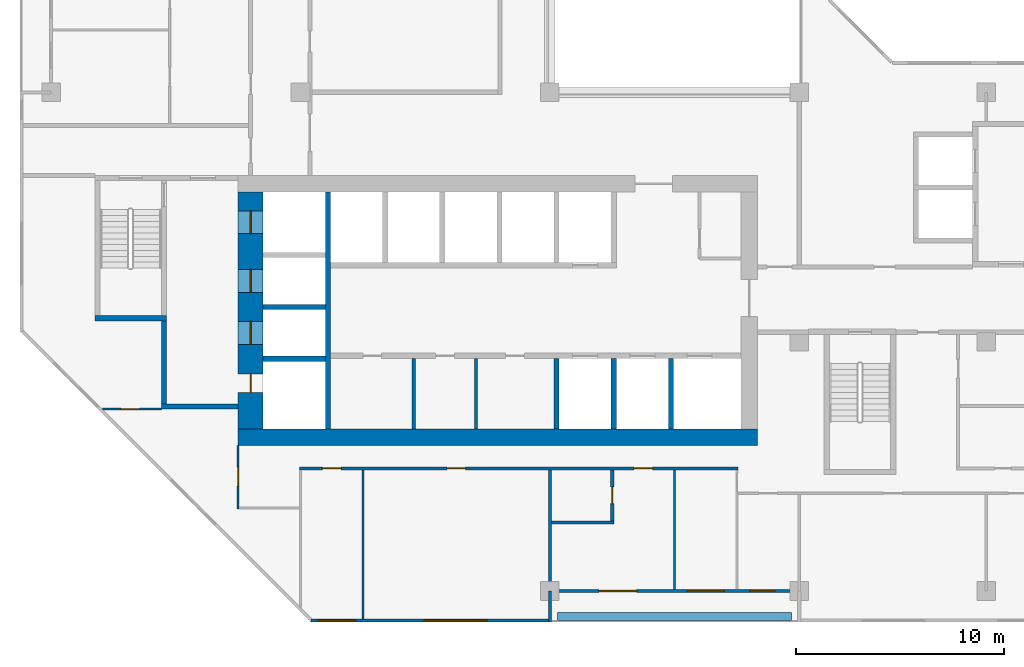
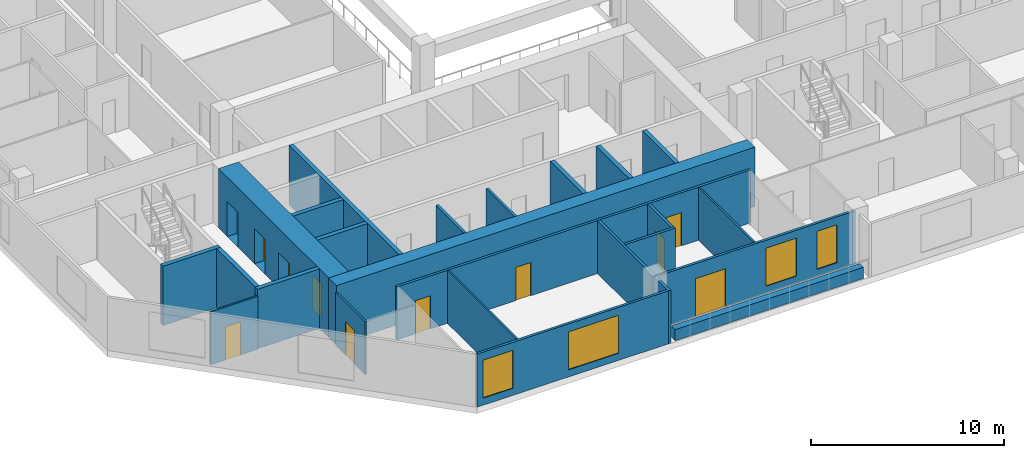
# One storey, part 4 of 14: 25 walls, 11 doors, 4 windows, 15 openings.
"""IFC4 building model written with IfcOpenShell, lengths in metres."""

from ifc_helpers import new_model, si_unit, direction, frame, frame_2d, origin, place, context, subcontext, project, spatial, rectangle, extrude, material, layer, layer_set, type_object, element, fill, save


model = new_model("IFC4")

# Units and contexts
model_context = context("Model", 3, precision=1e-05, world=origin(), true_north=direction((0.0, 1.0)))
body_context = subcontext(model_context, "Body", "Model", "MODEL_VIEW")
ifc_project = project(units=[si_unit("LENGTHUNIT", "METRE"), si_unit("AREAUNIT", "SQUARE_METRE"), si_unit("VOLUMEUNIT", "CUBIC_METRE"), si_unit("PLANEANGLEUNIT", "RADIAN"), si_unit("MASSUNIT", "GRAM", prefix="KILO")], contexts=[model_context])

# Site, building, storey
site_placement = place(None, origin())
site = spatial("IfcSite", under=ifc_project, at=site_placement, CompositionType="ELEMENT")
building_placement = place(site_placement, origin())
building = spatial("IfcBuilding", under=site, at=building_placement, Name="Chenar Terraces", CompositionType="ELEMENT")
storey_placement = place(building_placement, frame((0.0, 0.0, 161.14990234375)))
storey = spatial("IfcBuildingStorey", under=building, at=storey_placement, Name="L36", CompositionType="ELEMENT", Elevation=161.14990234375)

# Walls
ifc_material_1 = material(Name="Gypsum board on steel studs", Category="steel")
ifc_layer_1 = layer(ifc_material_1, 0.14990234375)
ifc_layer_set_1 = layer_set([ifc_layer_1], Name="Gypsum board on steel studs")
wall_type_1 = type_object("IfcWallType", Name="Core partition 150 gypsum board", PredefinedType="PARTITIONING", material=ifc_layer_set_1)
for number, where, z_axis, x_axis, name in (
    (1, (17.449951171875, 7.800048828125, 0.0), (0.0, 0.0, 1.0), (0.0, 1.0, 0.0), "Core partition CP1 freed bay wall"),
    (2, (20.449951171875, 7.800048828125, 0.0), (0.0, 0.0, 1.0), (0.0, 1.0, 0.0), "Core partition CP1 freed bay wall"),
):
    element("IfcWall", number, at=place(storey_placement, frame(where, z_axis=z_axis, x_axis=x_axis)), inside=storey, type_object=wall_type_1, Name=name, PredefinedType="PARTITIONING", context=body_context, shape_type="SweptSolid", body=[
        extrude(rectangle(XDim=3.39990234375, YDim=0.14990234375, at=frame_2d((1.699951171875, 0.0))), origin(), (0.0, 0.0, 1.0), 3.35009765625),
    ])

# Wall, openings, doors
ifc_material_2 = material(Name="Concrete C60/75", Category="concrete")
ifc_layer_2 = layer(ifc_material_2, 1.199951171875)
ifc_layer_set_2 = layer_set([ifc_layer_2], Name="Concrete C60/75")
wall_type_2 = type_object("IfcWallType", Name="Core wall 1200 Concrete C60/75", PredefinedType="SHEAR", material=ifc_layer_set_2)
wall_1_placement = place(storey_placement, frame((9.60009765625, 7.800048828125, 0.0), z_axis=(0.0, 0.0, 1.0), x_axis=(0.0, 1.0, 0.0)))
wall_1 = element("IfcWall", 3, at=wall_1_placement, inside=storey, type_object=wall_type_2, Name="Core wall W L36", PredefinedType="SHEAR", context=body_context, shape_type="SweptSolid", body=[
    extrude(rectangle(XDim=11.39990234375, YDim=1.199951171875, at=frame_2d((5.699951171875, 0.0))), origin(), (0.0, 0.0, 1.0), 3.75),
])
opening_1_placement = place(wall_1_placement, frame((4.074951171875, 0.0, 0.0)))
opening_1 = element("IfcOpeningElement", 4, at=opening_1_placement, cuts=wall_1, Name="Opening DL36-LD5", PredefinedType="OPENING", context=body_context, shape_type="SweptSolid", body=[
    extrude(rectangle(XDim=1.10009765625, YDim=2.199951171875, at=frame_2d((0.550048828125, 1.10009765625))), frame((0.0, 0.60986328125, 0.0), z_axis=(0.0, -1.0, 0.0), x_axis=(1.0, 0.0, 0.0)), (0.0, 0.0, 1.0), 1.219970703125),
])
opening_2_placement = place(wall_1_placement, frame((6.574951171875, 0.0, 0.0)))
opening_2 = element("IfcOpeningElement", 5, at=opening_2_placement, cuts=wall_1, Name="Opening DL36-LD6", PredefinedType="OPENING", context=body_context, shape_type="SweptSolid", body=[
    extrude(rectangle(XDim=1.10009765625, YDim=2.199951171875, at=frame_2d((0.550048828125, 1.10009765625))), frame((0.0, 0.60986328125, 0.0), z_axis=(0.0, -1.0, 0.0), x_axis=(1.0, 0.0, 0.0)), (0.0, 0.0, 1.0), 1.219970703125),
])
opening_3_placement = place(wall_1_placement, frame((9.39990234375, 0.0, 0.0)))
opening_3 = element("IfcOpeningElement", 6, at=opening_3_placement, cuts=wall_1, Name="Opening DL36-LD7", PredefinedType="OPENING", context=body_context, shape_type="SweptSolid", body=[
    extrude(rectangle(XDim=1.10009765625, YDim=2.199951171875, at=frame_2d((0.550048828125, 1.10009765625))), frame((0.0, 0.60986328125, 0.0), z_axis=(0.0, -1.0, 0.0), x_axis=(1.0, 0.0, 0.0)), (0.0, 0.0, 1.0), 1.219970703125),
])
opening_4_placement = place(wall_1_placement, frame((1.75, 0.0, 0.0)))
opening_4 = element("IfcOpeningElement", 7, at=opening_4_placement, cuts=wall_1, Name="Opening DL36-C4", PredefinedType="OPENING", context=body_context, shape_type="SweptSolid", body=[
    extrude(rectangle(XDim=0.89990234375, YDim=2.10009765625, at=frame_2d((0.449951171875, 1.050048828125))), frame((0.0, 0.60986328125, 0.0), z_axis=(0.0, -1.0, 0.0), x_axis=(1.0, 0.0, 0.0)), (0.0, 0.0, 1.0), 1.219970703125),
])
ifc_material_3 = material(Name="Stainless steel", Category="steel")
door_type_1 = type_object("IfcDoorType", Name="Lift landing door 1100 x 2200 sliding", OperationType="DOUBLE_DOOR_SLIDING", PredefinedType="DOOR", material=ifc_material_3)
door_1_placement = place(opening_1_placement, origin())
door_1 = element("IfcDoor", 8, at=door_1_placement, inside=storey, type_object=door_type_1, Name="Landing door S1", OperationType="DOUBLE_DOOR_SLIDING", OverallHeight=2.199951171875, OverallWidth=1.10009765625, PredefinedType="DOOR", context=body_context, shape_type="SweptSolid", body=[
    extrude(rectangle(XDim=1.10009765625, YDim=2.199951171875, at=frame_2d((0.550048828125, 1.10009765625))), frame((0.0, 0.02490234375, 0.0), z_axis=(0.0, -1.0, 0.0), x_axis=(1.0, 0.0, 0.0)), (0.0, 0.0, 1.0), 0.050048828125),
])
fill(opening_1, door_1)
door_2_placement = place(opening_2_placement, origin())
door_2 = element("IfcDoor", 9, at=door_2_placement, inside=storey, type_object=door_type_1, Name="Landing door F1", OperationType="DOUBLE_DOOR_SLIDING", OverallHeight=2.199951171875, OverallWidth=1.10009765625, PredefinedType="DOOR", context=body_context, shape_type="SweptSolid", body=[
    extrude(rectangle(XDim=1.10009765625, YDim=2.199951171875, at=frame_2d((0.550048828125, 1.10009765625))), frame((0.0, 0.02490234375, 0.0), z_axis=(0.0, -1.0, 0.0), x_axis=(1.0, 0.0, 0.0)), (0.0, 0.0, 1.0), 0.050048828125),
])
fill(opening_2, door_2)
door_3_placement = place(opening_3_placement, origin())
door_3 = element("IfcDoor", 10, at=door_3_placement, inside=storey, type_object=door_type_1, Name="Landing door F2", OperationType="DOUBLE_DOOR_SLIDING", OverallHeight=2.199951171875, OverallWidth=1.10009765625, PredefinedType="DOOR", context=body_context, shape_type="SweptSolid", body=[
    extrude(rectangle(XDim=1.10009765625, YDim=2.199951171875, at=frame_2d((0.550048828125, 1.10009765625))), frame((0.0, 0.02490234375, 0.0), z_axis=(0.0, -1.0, 0.0), x_axis=(1.0, 0.0, 0.0)), (0.0, 0.0, 1.0), 0.050048828125),
])
fill(opening_3, door_3)
ifc_material_4 = material(Name="Steel-framed fire-resisting door leaf", Category="steel")
door_type_2 = type_object("IfcDoorType", Name="Riser fire door FD60 900 x 2100", OperationType="SINGLE_SWING_LEFT", PredefinedType="DOOR", material=ifc_material_4)
door_4_placement = place(opening_4_placement, frame((0.89990234375, 0.0, 0.0), z_axis=(0.0, 0.0, 1.0), x_axis=(-1.0, 0.0, 0.0)))
door_4 = element("IfcDoor", 11, at=door_4_placement, inside=storey, type_object=door_type_2, Name="Riser door DL36-C4", OperationType="SINGLE_SWING_LEFT", OverallHeight=2.10009765625, OverallWidth=0.89990234375, PredefinedType="DOOR", context=body_context, shape_type="SweptSolid", body=[
    extrude(rectangle(XDim=0.89990234375, YDim=2.10009765625, at=frame_2d((0.449951171875, 1.050048828125))), frame((0.0, 0.02490234375, 0.0), z_axis=(0.0, -1.0, 0.0), x_axis=(1.0, 0.0, 0.0)), (0.0, 0.0, 1.0), 0.050048828125),
])
fill(opening_4, door_4)

# Walls
ifc_material_5 = material(Name="Concrete C60/75", Category="concrete")
ifc_layer_3 = layer(ifc_material_5, 0.25)
ifc_layer_set_3 = layer_set([ifc_layer_3], Name="Concrete C60/75")
wall_type_3 = type_object("IfcWallType", Name="Core wall 250 Concrete C60/75", PredefinedType="SHEAR", material=ifc_layer_set_3)
wall_2_placement = place(storey_placement, frame((13.324951171875, 7.800048828125, 0.0), z_axis=(0.0, 0.0, 1.0), x_axis=(0.0, 1.0, 0.0)))
element("IfcWall", 12, at=wall_2_placement, inside=storey, type_object=wall_type_3, Name="Core wall WI L36", PredefinedType="SHEAR", context=body_context, shape_type="SweptSolid", body=[
    extrude(rectangle(XDim=11.39990234375, YDim=0.25, at=frame_2d((5.699951171875, 0.0))), origin(), (0.0, 0.0, 1.0), 3.75),
])
for number, where, z_axis, x_axis, name in (
    (13, (10.199951171875, 11.175048828125, 0.0), (0.0, 0.0, 1.0), (1.0, 0.0, 0.0), "Core wall HW0 L36"),
    (14, (10.199951171875, 13.675048828125, 0.0), (0.0, 0.0, 1.0), (1.0, 0.0, 0.0), "Core wall HW1 L36"),
):
    element("IfcWall", number, at=place(storey_placement, frame(where, z_axis=z_axis, x_axis=x_axis)), inside=storey, type_object=wall_type_3, Name=name, PredefinedType="SHEAR", context=body_context, shape_type="SweptSolid", body=[
        extrude(rectangle(XDim=3.0, YDim=0.25, at=frame_2d((1.5, 0.0))), origin(), (0.0, 0.0, 1.0), 3.75),
    ])
for number, where, z_axis, x_axis, name in (
    (15, (24.324951171875, 7.800048828125, 0.0), (0.0, 0.0, 1.0), (0.0, 1.0, 0.0), "Core wall SS3 L36"),
    (16, (27.074951171875, 7.800048828125, 0.0), (0.0, 0.0, 1.0), (0.0, 1.0, 0.0), "Core wall SS4 L36"),
    (17, (29.824951171875, 7.800048828125, 0.0), (0.0, 0.0, 1.0), (0.0, 1.0, 0.0), "Core wall SS5 L36"),
):
    element("IfcWall", number, at=place(storey_placement, frame(where, z_axis=z_axis, x_axis=x_axis)), inside=storey, type_object=wall_type_3, Name=name, PredefinedType="SHEAR", context=body_context, shape_type="SweptSolid", body=[
        extrude(rectangle(XDim=3.39990234375, YDim=0.25, at=frame_2d((1.699951171875, 0.0))), origin(), (0.0, 0.0, 1.0), 3.75),
    ])
wall_3_placement = place(storey_placement, frame((2.10009765625, 13.125, 0.0), z_axis=(0.0, 0.0, 1.0), x_axis=(1.0, 0.0, 0.0)))
element("IfcWall", 18, at=wall_3_placement, inside=storey, type_object=wall_type_3, Name="Core wall ST1_S L36", PredefinedType="SHEAR", context=body_context, shape_type="SweptSolid", body=[
    extrude(rectangle(XDim=3.449951171875, YDim=0.25, at=frame_2d((1.72509765625, 0.0))), origin(), (0.0, 0.0, 1.0), 3.75),
])
wall_4_placement = place(storey_placement, frame((5.300048828125, 8.875, 0.0), z_axis=(0.0, 0.0, 1.0), x_axis=(1.0, 0.0, 0.0)))
element("IfcWall", 19, at=wall_4_placement, inside=storey, type_object=wall_type_3, Name="Core wall FFL_S L36", PredefinedType="SHEAR", context=body_context, shape_type="SweptSolid", body=[
    extrude(rectangle(XDim=3.699951171875, YDim=0.25, at=frame_2d((1.85009765625, 0.0))), origin(), (0.0, 0.0, 1.0), 3.75),
])
wall_5_placement = place(storey_placement, frame((5.425048828125, 9.0, 0.0), z_axis=(0.0, 0.0, 1.0), x_axis=(0.0, 1.0, 0.0)))
element("IfcWall", 20, at=wall_5_placement, inside=storey, type_object=wall_type_3, Name="Core wall FFL_W L36", PredefinedType="SHEAR", context=body_context, shape_type="SweptSolid", body=[
    extrude(rectangle(XDim=4.0, YDim=0.25, at=frame_2d((2.0, 0.0))), origin(), (0.0, 0.0, 1.0), 3.75),
])
ifc_material_6 = material(Name="Concrete C60/75", Category="concrete")
ifc_layer_4 = layer(ifc_material_6, 0.800048828125)
ifc_layer_set_4 = layer_set([ifc_layer_4], Name="Concrete C60/75")
wall_type_4 = type_object("IfcWallType", Name="Core wall 800 Concrete C60/75", PredefinedType="SHEAR", material=ifc_layer_set_4)
wall_6_placement = place(storey_placement, frame((9.0, 7.39990234375, 0.0), z_axis=(0.0, 0.0, 1.0), x_axis=(1.0, 0.0, 0.0)))
element("IfcWall", 21, at=wall_6_placement, inside=storey, type_object=wall_type_4, Name="Core wall S L36", PredefinedType="SHEAR", context=body_context, shape_type="SweptSolid", body=[
    extrude(rectangle(XDim=25.0, YDim=0.800048828125, at=frame_2d((12.5, 0.0))), origin(), (0.0, 0.0, 1.0), 3.75),
])

# Wall, openings, windows
ifc_material_7 = material(Name="Aluminium framed glazing", Category="aluminium")
ifc_layer_5 = layer(ifc_material_7, 0.14990234375)
ifc_layer_set_5 = layer_set([ifc_layer_5], Name="Aluminium framed glazing")
wall_type_5 = type_object("IfcWallType", Name="Glazed flush facade wall 150", PredefinedType="SOLIDWALL", material=ifc_layer_set_5)
wall_7_placement = place(storey_placement, frame((12.5, -1.425048828125, 0.0), z_axis=(0.0, 0.0, 1.0), x_axis=(1.0, 0.0, 0.0)))
wall_7 = element("IfcWall", 22, at=wall_7_placement, inside=storey, type_object=wall_type_5, Name="Glazed flush facade wall", PredefinedType="SOLIDWALL", context=body_context, shape_type="SweptSolid", body=[
    extrude(rectangle(XDim=11.425048828125, YDim=0.14990234375, at=frame_2d((5.71240234375, 0.0))), origin(), (0.0, 0.0, 1.0), 3.35009765625),
])
opening_5_placement = place(wall_7_placement, frame((0.35009765625, 0.0, 0.449951171875)))
opening_5 = element("IfcOpeningElement", 23, at=opening_5_placement, cuts=wall_7, Name="Opening W180x240", PredefinedType="OPENING", context=body_context, shape_type="SweptSolid", body=[
    extrude(rectangle(XDim=1.800048828125, YDim=2.39990234375, at=frame_2d((0.89990234375, 1.199951171875))), frame((0.0, 0.0849609375, 0.0), z_axis=(0.0, -1.0, 0.0), x_axis=(1.0, 0.0, 0.0)), (0.0, 0.0, 1.0), 0.169921875),
])
opening_6_placement = place(wall_7_placement, frame((5.46240234375, 0.0, 0.449951171875)))
opening_6 = element("IfcOpeningElement", 24, at=opening_6_placement, cuts=wall_7, Name="Opening W300x240", PredefinedType="OPENING", context=body_context, shape_type="SweptSolid", body=[
    extrude(rectangle(XDim=3.0, YDim=2.39990234375, at=frame_2d((1.5, 1.199951171875))), frame((0.0, 0.0849609375, 0.0), z_axis=(0.0, -1.0, 0.0), x_axis=(1.0, 0.0, 0.0)), (0.0, 0.0, 1.0), 0.169921875),
])
ifc_material_8 = material(Name="Low emissivity double glazing, aluminium frame", Category="aluminium")
window_type_1 = type_object("IfcWindowType", Name="Fixed light 1800 x 2400", PartitioningType="SINGLE_PANEL", PredefinedType="WINDOW", material=ifc_material_8)
window_1_placement = place(opening_5_placement, origin())
window_1 = element("IfcWindow", 25, at=window_1_placement, inside=storey, type_object=window_type_1, Name="Window", OverallHeight=2.39990234375, OverallWidth=1.800048828125, PartitioningType="SINGLE_PANEL", PredefinedType="WINDOW", context=body_context, shape_type="SweptSolid", body=[
    extrude(rectangle(XDim=1.800048828125, YDim=2.39990234375, at=frame_2d((0.89990234375, 1.199951171875))), frame((0.0, 0.030029296875, 0.0), z_axis=(0.0, -1.0, 0.0), x_axis=(1.0, 0.0, 0.0)), (0.0, 0.0, 1.0), 0.06005859375),
])
fill(opening_5, window_1)
ifc_material_9 = material(Name="Low emissivity double glazing, aluminium frame", Category="aluminium")
window_type_2 = type_object("IfcWindowType", Name="Fixed light 3000 x 2400", PartitioningType="SINGLE_PANEL", PredefinedType="WINDOW", material=ifc_material_9)
window_2_placement = place(opening_6_placement, origin())
window_2 = element("IfcWindow", 26, at=window_2_placement, inside=storey, type_object=window_type_2, Name="Window", OverallHeight=2.39990234375, OverallWidth=3.0, PartitioningType="SINGLE_PANEL", PredefinedType="WINDOW", context=body_context, shape_type="SweptSolid", body=[
    extrude(rectangle(XDim=3.0, YDim=2.39990234375, at=frame_2d((1.5, 1.199951171875))), frame((0.0, 0.030029296875, 0.0), z_axis=(0.0, -1.0, 0.0), x_axis=(1.0, 0.0, 0.0)), (0.0, 0.0, 1.0), 0.06005859375),
])
fill(opening_6, window_2)

# Wall, openings, windows, door
ifc_material_10 = material(Name="Aluminium framed glazing", Category="aluminium")
ifc_layer_6 = layer(ifc_material_10, 0.14990234375)
ifc_layer_set_6 = layer_set([ifc_layer_6], Name="Aluminium framed glazing")
wall_type_6 = type_object("IfcWallType", Name="Glazed loggia back wall 150", PredefinedType="SOLIDWALL", material=ifc_layer_set_6)
wall_8_placement = place(storey_placement, frame((24.074951171875, 0.0, 0.0), z_axis=(0.0, 0.0, 1.0), x_axis=(1.0, 0.0, 0.0)))
wall_8 = element("IfcWall", 27, at=wall_8_placement, inside=storey, type_object=wall_type_6, Name="Glazed loggia back wall", PredefinedType="SOLIDWALL", context=body_context, shape_type="SweptSolid", body=[
    extrude(rectangle(XDim=11.85009765625, YDim=0.14990234375, at=frame_2d((5.925048828125, 0.0))), origin(), (0.0, 0.0, 1.0), 3.35009765625),
])
opening_7_placement = place(wall_8_placement, frame((2.300048828125, 0.0, 0.0)))
opening_7 = element("IfcOpeningElement", 28, at=opening_7_placement, cuts=wall_8, Name="Opening DL36-G6", PredefinedType="OPENING", context=body_context, shape_type="SweptSolid", body=[
    extrude(rectangle(XDim=1.800048828125, YDim=2.39990234375, at=frame_2d((0.89990234375, 1.199951171875))), frame((0.0, 0.0849609375, 0.0), z_axis=(0.0, -1.0, 0.0), x_axis=(1.0, 0.0, 0.0)), (0.0, 0.0, 1.0), 0.169921875),
])
opening_8_placement = place(wall_8_placement, frame((6.52490234375, 0.0, 0.449951171875)))
opening_8 = element("IfcOpeningElement", 29, at=opening_8_placement, cuts=wall_8, Name="Opening W180x240", PredefinedType="OPENING", context=body_context, shape_type="SweptSolid", body=[
    extrude(rectangle(XDim=1.800048828125, YDim=2.39990234375, at=frame_2d((0.89990234375, 1.199951171875))), frame((0.0, 0.0849609375, 0.0), z_axis=(0.0, -1.0, 0.0), x_axis=(1.0, 0.0, 0.0)), (0.0, 0.0, 1.0), 0.169921875),
])
opening_9_placement = place(wall_8_placement, frame((9.550048828125, 0.0, 0.449951171875)))
opening_9 = element("IfcOpeningElement", 30, at=opening_9_placement, cuts=wall_8, Name="Opening W120x240", PredefinedType="OPENING", context=body_context, shape_type="SweptSolid", body=[
    extrude(rectangle(XDim=1.199951171875, YDim=2.39990234375, at=frame_2d((0.60009765625, 1.199951171875))), frame((0.0, 0.0849609375, 0.0), z_axis=(0.0, -1.0, 0.0), x_axis=(1.0, 0.0, 0.0)), (0.0, 0.0, 1.0), 0.169921875),
])
ifc_material_11 = material(Name="Low emissivity double glazing, aluminium frame", Category="aluminium")
window_type_3 = type_object("IfcWindowType", Name="Fixed light 1200 x 2400", PartitioningType="SINGLE_PANEL", PredefinedType="WINDOW", material=ifc_material_11)
window_3_placement = place(opening_9_placement, origin())
window_3 = element("IfcWindow", 31, at=window_3_placement, inside=storey, type_object=window_type_3, Name="Window", OverallHeight=2.39990234375, OverallWidth=1.199951171875, PartitioningType="SINGLE_PANEL", PredefinedType="WINDOW", context=body_context, shape_type="SweptSolid", body=[
    extrude(rectangle(XDim=1.199951171875, YDim=2.39990234375, at=frame_2d((0.60009765625, 1.199951171875))), frame((0.0, 0.030029296875, 0.0), z_axis=(0.0, -1.0, 0.0), x_axis=(1.0, 0.0, 0.0)), (0.0, 0.0, 1.0), 0.06005859375),
])
fill(opening_9, window_3)
window_4_placement = place(opening_8_placement, origin())
window_4 = element("IfcWindow", 32, at=window_4_placement, inside=storey, type_object=window_type_1, Name="Window", OverallHeight=2.39990234375, OverallWidth=1.800048828125, PartitioningType="SINGLE_PANEL", PredefinedType="WINDOW", context=body_context, shape_type="SweptSolid", body=[
    extrude(rectangle(XDim=1.800048828125, YDim=2.39990234375, at=frame_2d((0.89990234375, 1.199951171875))), frame((0.0, 0.030029296875, 0.0), z_axis=(0.0, -1.0, 0.0), x_axis=(1.0, 0.0, 0.0)), (0.0, 0.0, 1.0), 0.06005859375),
])
fill(opening_8, window_4)
ifc_material_12 = material(Name="Low emissivity double glazing, aluminium frame", Category="aluminium")
door_type_3 = type_object("IfcDoorType", Name="Loggia glazed double door 1800 x 2400", OperationType="DOUBLE_DOOR_SINGLE_SWING", PredefinedType="DOOR", material=ifc_material_12)
door_5_placement = place(opening_7_placement, frame((1.800048828125, 0.0, 0.0), z_axis=(0.0, 0.0, 1.0), x_axis=(-1.0, 0.0, 0.0)))
door_5 = element("IfcDoor", 33, at=door_5_placement, inside=storey, type_object=door_type_3, Name="Loggia glazed door", OperationType="DOUBLE_DOOR_SINGLE_SWING", OverallHeight=2.39990234375, OverallWidth=1.800048828125, PredefinedType="DOOR", context=body_context, shape_type="SweptSolid", body=[
    extrude(rectangle(XDim=1.800048828125, YDim=2.39990234375, at=frame_2d((0.89990234375, 1.199951171875))), frame((0.0, 0.02490234375, 0.0), z_axis=(0.0, -1.0, 0.0), x_axis=(1.0, 0.0, 0.0)), (0.0, 0.0, 1.0), 0.050048828125),
])
fill(opening_7, door_5)

# Wall, opening, door
ifc_material_13 = material(Name="Gypsum board on steel studs", Category="steel")
ifc_layer_7 = layer(ifc_material_13, 0.10009765625)
ifc_layer_set_7 = layer_set([ifc_layer_7], Name="Gypsum board on steel studs")
wall_type_7 = type_object("IfcWallType", Name="Gypsum partition 100", PredefinedType="PARTITIONING", material=ifc_layer_set_7)
wall_9_placement = place(storey_placement, frame((2.4609375, 8.75, 0.0), z_axis=(0.0, 0.0, 1.0), x_axis=(1.0, 0.0, 0.0)))
wall_9 = element("IfcWall", 34, at=wall_9_placement, inside=storey, type_object=wall_type_7, Name="Partition L36-013", PredefinedType="PARTITIONING", context=body_context, shape_type="SweptSolid", body=[
    extrude(rectangle(XDim=2.839111328125, YDim=0.10009765625, at=frame_2d((1.41943359375, 0.0))), origin(), (0.0, 0.0, 1.0), 3.35009765625),
])
opening_10_placement = place(wall_9_placement, frame((0.888916015625, 0.0, 0.0)))
opening_10 = element("IfcOpeningElement", 35, at=opening_10_placement, cuts=wall_9, Name="Opening DL36-49", PredefinedType="OPENING", context=body_context, shape_type="SweptSolid", body=[
    extrude(rectangle(XDim=0.89990234375, YDim=2.10009765625, at=frame_2d((0.449951171875, 1.050048828125))), frame((0.0, 0.06005859375, 0.0), z_axis=(0.0, -1.0, 0.0), x_axis=(1.0, 0.0, 0.0)), (0.0, 0.0, 1.0), 0.1201171875),
])
ifc_material_14 = material(Name="Veneered timber door leaf", Category="wood")
door_type_4 = type_object("IfcDoorType", Name="Door 900 x 2100", OperationType="SINGLE_SWING_LEFT", PredefinedType="DOOR", material=ifc_material_14)
door_6_placement = place(opening_10_placement, frame((0.89990234375, 0.0, 0.0), z_axis=(0.0, 0.0, 1.0), x_axis=(-1.0, 0.0, 0.0)))
door_6 = element("IfcDoor", 36, at=door_6_placement, inside=storey, type_object=door_type_4, Name="Door DL36-49", OperationType="SINGLE_SWING_RIGHT", OverallHeight=2.10009765625, OverallWidth=0.89990234375, PredefinedType="DOOR", context=body_context, shape_type="SweptSolid", body=[
    extrude(rectangle(XDim=0.89990234375, YDim=2.10009765625, at=frame_2d((0.449951171875, 1.050048828125))), frame((0.0, 0.02490234375, 0.0), z_axis=(0.0, -1.0, 0.0), x_axis=(1.0, 0.0, 0.0)), (0.0, 0.0, 1.0), 0.050048828125),
])
fill(opening_10, door_6)

wall_10_placement = place(storey_placement, frame((9.0, 3.949951171875, 0.0), z_axis=(0.0, 0.0, 1.0), x_axis=(0.0, 1.0, 0.0)))
wall_10 = element("IfcWall", 37, at=wall_10_placement, inside=storey, type_object=wall_type_7, Name="Partition L36-026", PredefinedType="PARTITIONING", context=body_context, shape_type="SweptSolid", body=[
    extrude(rectangle(XDim=3.050048828125, YDim=0.10009765625, at=frame_2d((1.52490234375, 0.0))), origin(), (0.0, 0.0, 1.0), 3.35009765625),
])
opening_11_placement = place(wall_10_placement, frame((1.10009765625, 0.0, 0.0)))
opening_11 = element("IfcOpeningElement", 38, at=opening_11_placement, cuts=wall_10, Name="Opening DL36-48", PredefinedType="OPENING", context=body_context, shape_type="SweptSolid", body=[
    extrude(rectangle(XDim=0.89990234375, YDim=2.10009765625, at=frame_2d((0.449951171875, 1.050048828125))), frame((0.0, 0.06005859375, 0.0), z_axis=(0.0, -1.0, 0.0), x_axis=(1.0, 0.0, 0.0)), (0.0, 0.0, 1.0), 0.1201171875),
])
door_7_placement = place(opening_11_placement, origin())
door_7 = element("IfcDoor", 39, at=door_7_placement, inside=storey, type_object=door_type_4, Name="Door DL36-48", OperationType="SINGLE_SWING_LEFT", OverallHeight=2.10009765625, OverallWidth=0.89990234375, PredefinedType="DOOR", context=body_context, shape_type="SweptSolid", body=[
    extrude(rectangle(XDim=0.89990234375, YDim=2.10009765625, at=frame_2d((0.449951171875, 1.050048828125))), frame((0.0, 0.02490234375, 0.0), z_axis=(0.0, -1.0, 0.0), x_axis=(1.0, 0.0, 0.0)), (0.0, 0.0, 1.0), 0.050048828125),
])
fill(opening_11, door_7)

# Walls
wall_11_placement = place(storey_placement, frame((15.0, -1.35009765625, 0.0), z_axis=(0.0, 0.0, 1.0), x_axis=(0.0, 1.0, 0.0)))
element("IfcWall", 40, at=wall_11_placement, inside=storey, type_object=wall_type_7, Name="Partition L36-041", PredefinedType="PARTITIONING", context=body_context, shape_type="SweptSolid", body=[
    extrude(rectangle(XDim=7.175048828125, YDim=0.10009765625, at=frame_2d((3.58740234375, 0.0))), origin(), (0.0, 0.0, 1.0), 3.35009765625),
])
wall_12_placement = place(storey_placement, frame((30.0, 0.073974609375, 0.0), z_axis=(0.0, 0.0, 1.0), x_axis=(0.0, 1.0, 0.0)))
element("IfcWall", 41, at=wall_12_placement, inside=storey, type_object=wall_type_7, Name="Partition L36-056", PredefinedType="PARTITIONING", context=body_context, shape_type="SweptSolid", body=[
    extrude(rectangle(XDim=5.7509765625, YDim=0.10009765625, at=frame_2d((2.87548828125, 0.0))), origin(), (0.0, 0.0, 1.0), 3.35009765625),
])
ifc_material_15 = material(Name="Terracotta cladding on insulated backing", Category="masonry")
ifc_layer_8 = layer(ifc_material_15, 0.14990234375)
ifc_layer_set_8 = layer_set([ifc_layer_8], Name="Terracotta cladding on insulated backing")
wall_type_8 = type_object("IfcWallType", Name="Loggia return wall 150", PredefinedType="SOLIDWALL", material=ifc_layer_set_8)
wall_13_placement = place(storey_placement, frame((24.0, -1.5, 0.0), z_axis=(0.0, 0.0, 1.0), x_axis=(0.0, 1.0, 0.0)))
element("IfcWall", 42, at=wall_13_placement, inside=storey, type_object=wall_type_8, Name="Loggia return wall", PredefinedType="SOLIDWALL", context=body_context, shape_type="SweptSolid", body=[
    extrude(rectangle(XDim=1.5, YDim=0.14990234375, at=frame_2d((0.75, 0.0))), origin(), (0.0, 0.0, 1.0), 3.35009765625),
])
ifc_material_16 = material(Name="GRP planter trough")
ifc_layer_9 = layer(ifc_material_16, 0.39990234375)
ifc_layer_set_9 = layer_set([ifc_layer_9], Name="GRP planter trough")
wall_type_9 = type_object("IfcWallType", Name="Vertical greenery planter 400", PredefinedType="SOLIDWALL", material=ifc_layer_set_9)
wall_14_placement = place(storey_placement, frame((24.375, -1.22900390625, 0.0), z_axis=(0.0, 0.0, 1.0), x_axis=(1.0, 0.0, 0.0)))
element("IfcWall", 43, at=wall_14_placement, inside=storey, type_object=wall_type_9, Name="Vertical greenery planter", PredefinedType="SOLIDWALL", context=body_context, shape_type="SweptSolid", body=[
    extrude(rectangle(XDim=11.25, YDim=0.39990234375, at=frame_2d((5.625, 0.0))), origin(), (0.0, 0.0, 1.0), 0.7001953125),
])

# Wall, openings, doors
ifc_material_17 = material(Name="Moisture-resistant gypsum board on steel studs", Category="steel")
ifc_layer_10 = layer(ifc_material_17, 0.14990234375)
ifc_layer_set_10 = layer_set([ifc_layer_10], Name="Moisture-resistant gypsum board on steel studs")
wall_type_10 = type_object("IfcWallType", Name="Wet-room partition 150", PredefinedType="PARTITIONING", material=ifc_layer_set_10)
wall_15_placement = place(storey_placement, frame((11.949951171875, 5.89990234375, 0.0), z_axis=(0.0, 0.0, 1.0), x_axis=(1.0, 0.0, 0.0)))
wall_15 = element("IfcWall", 44, at=wall_15_placement, inside=storey, type_object=wall_type_10, Name="Partition L36-029", PredefinedType="PARTITIONING", context=body_context, shape_type="SweptSolid", body=[
    extrude(rectangle(XDim=21.10009765625, YDim=0.14990234375, at=frame_2d((10.550048828125, 0.0))), origin(), (0.0, 0.0, 1.0), 3.35009765625),
])
opening_12_placement = place(wall_15_placement, frame((1.10009765625, 0.0, 0.0)))
opening_12 = element("IfcOpeningElement", 45, at=opening_12_placement, cuts=wall_15, Name="Opening DL36-42", PredefinedType="OPENING", context=body_context, shape_type="SweptSolid", body=[
    extrude(rectangle(XDim=0.89990234375, YDim=2.10009765625, at=frame_2d((0.449951171875, 1.050048828125))), frame((0.0, 0.0849609375, 0.0), z_axis=(0.0, -1.0, 0.0), x_axis=(1.0, 0.0, 0.0)), (0.0, 0.0, 1.0), 0.169921875),
])
opening_13_placement = place(wall_15_placement, frame((16.10009765625, 0.0, 0.0)))
opening_13 = element("IfcOpeningElement", 46, at=opening_13_placement, cuts=wall_15, Name="Opening DL36-50", PredefinedType="OPENING", context=body_context, shape_type="SweptSolid", body=[
    extrude(rectangle(XDim=0.89990234375, YDim=2.10009765625, at=frame_2d((0.449951171875, 1.050048828125))), frame((0.0, 0.0849609375, 0.0), z_axis=(0.0, -1.0, 0.0), x_axis=(1.0, 0.0, 0.0)), (0.0, 0.0, 1.0), 0.169921875),
])
opening_14_placement = place(wall_15_placement, frame((7.10009765625, 0.0, 0.0)))
opening_14 = element("IfcOpeningElement", 47, at=opening_14_placement, cuts=wall_15, Name="Opening DL36-55", PredefinedType="OPENING", context=body_context, shape_type="SweptSolid", body=[
    extrude(rectangle(XDim=0.89990234375, YDim=2.10009765625, at=frame_2d((0.449951171875, 1.050048828125))), frame((0.0, 0.0849609375, 0.0), z_axis=(0.0, -1.0, 0.0), x_axis=(1.0, 0.0, 0.0)), (0.0, 0.0, 1.0), 0.169921875),
])
door_8_placement = place(opening_12_placement, frame((0.89990234375, 0.0, 0.0), z_axis=(0.0, 0.0, 1.0), x_axis=(-1.0, 0.0, 0.0)))
door_8 = element("IfcDoor", 48, at=door_8_placement, inside=storey, type_object=door_type_4, Name="Door DL36-42", OperationType="SINGLE_SWING_RIGHT", OverallHeight=2.10009765625, OverallWidth=0.89990234375, PredefinedType="DOOR", context=body_context, shape_type="SweptSolid", body=[
    extrude(rectangle(XDim=0.89990234375, YDim=2.10009765625, at=frame_2d((0.449951171875, 1.050048828125))), frame((0.0, 0.02490234375, 0.0), z_axis=(0.0, -1.0, 0.0), x_axis=(1.0, 0.0, 0.0)), (0.0, 0.0, 1.0), 0.050048828125),
])
fill(opening_12, door_8)
door_9_placement = place(opening_13_placement, frame((0.89990234375, 0.0, 0.0), z_axis=(0.0, 0.0, 1.0), x_axis=(-1.0, 0.0, 0.0)))
door_9 = element("IfcDoor", 49, at=door_9_placement, inside=storey, type_object=door_type_4, Name="Door DL36-50", OperationType="SINGLE_SWING_RIGHT", OverallHeight=2.10009765625, OverallWidth=0.89990234375, PredefinedType="DOOR", context=body_context, shape_type="SweptSolid", body=[
    extrude(rectangle(XDim=0.89990234375, YDim=2.10009765625, at=frame_2d((0.449951171875, 1.050048828125))), frame((0.0, 0.02490234375, 0.0), z_axis=(0.0, -1.0, 0.0), x_axis=(1.0, 0.0, 0.0)), (0.0, 0.0, 1.0), 0.050048828125),
])
fill(opening_13, door_9)
door_10_placement = place(opening_14_placement, frame((0.89990234375, 0.0, 0.0), z_axis=(0.0, 0.0, 1.0), x_axis=(-1.0, 0.0, 0.0)))
door_10 = element("IfcDoor", 50, at=door_10_placement, inside=storey, type_object=door_type_4, Name="Door DL36-55", OperationType="SINGLE_SWING_RIGHT", OverallHeight=2.10009765625, OverallWidth=0.89990234375, PredefinedType="DOOR", context=body_context, shape_type="SweptSolid", body=[
    extrude(rectangle(XDim=0.89990234375, YDim=2.10009765625, at=frame_2d((0.449951171875, 1.050048828125))), frame((0.0, 0.02490234375, 0.0), z_axis=(0.0, -1.0, 0.0), x_axis=(1.0, 0.0, 0.0)), (0.0, 0.0, 1.0), 0.050048828125),
])
fill(opening_14, door_10)

# Walls
wall_16_placement = place(storey_placement, frame((24.0, 0.0, 0.0), z_axis=(0.0, 0.0, 1.0), x_axis=(0.0, 1.0, 0.0)))
element("IfcWall", 51, at=wall_16_placement, inside=storey, type_object=wall_type_10, Name="Partition L36-053", PredefinedType="PARTITIONING", context=body_context, shape_type="SweptSolid", body=[
    extrude(rectangle(XDim=5.824951171875, YDim=0.14990234375, at=frame_2d((2.91259765625, 0.0))), origin(), (0.0, 0.0, 1.0), 3.35009765625),
])
wall_17_placement = place(storey_placement, frame((24.074951171875, 3.300048828125, 0.0), z_axis=(0.0, 0.0, 1.0), x_axis=(1.0, 0.0, 0.0)))
element("IfcWall", 52, at=wall_17_placement, inside=storey, type_object=wall_type_10, Name="Partition L36-054", PredefinedType="PARTITIONING", context=body_context, shape_type="SweptSolid", body=[
    extrude(rectangle(XDim=3.0, YDim=0.14990234375, at=frame_2d((1.5, 0.0))), origin(), (0.0, 0.0, 1.0), 3.35009765625),
])

# Wall, opening, door
wall_18_placement = place(storey_placement, frame((27.0, 3.375, 0.0), z_axis=(0.0, 0.0, 1.0), x_axis=(0.0, 1.0, 0.0)))
wall_18 = element("IfcWall", 53, at=wall_18_placement, inside=storey, type_object=wall_type_10, Name="Partition L36-055", PredefinedType="PARTITIONING", context=body_context, shape_type="SweptSolid", body=[
    extrude(rectangle(XDim=2.449951171875, YDim=0.14990234375, at=frame_2d((1.22509765625, 0.0))), origin(), (0.0, 0.0, 1.0), 3.35009765625),
])
opening_15_placement = place(wall_18_placement, frame((0.824951171875, 0.0, 0.0)))
opening_15 = element("IfcOpeningElement", 54, at=opening_15_placement, cuts=wall_18, Name="Opening DL36-52", PredefinedType="OPENING", context=body_context, shape_type="SweptSolid", body=[
    extrude(rectangle(XDim=0.800048828125, YDim=2.10009765625, at=frame_2d((0.39990234375, 1.050048828125))), frame((0.0, 0.0849609375, 0.0), z_axis=(0.0, -1.0, 0.0), x_axis=(1.0, 0.0, 0.0)), (0.0, 0.0, 1.0), 0.169921875),
])
ifc_material_18 = material(Name="Veneered timber door leaf", Category="wood")
door_type_5 = type_object("IfcDoorType", Name="Door 800 x 2100", OperationType="SINGLE_SWING_LEFT", PredefinedType="DOOR", material=ifc_material_18)
door_11_placement = place(opening_15_placement, origin())
door_11 = element("IfcDoor", 55, at=door_11_placement, inside=storey, type_object=door_type_5, Name="Door DL36-52", OperationType="SINGLE_SWING_RIGHT", OverallHeight=2.10009765625, OverallWidth=0.800048828125, PredefinedType="DOOR", context=body_context, shape_type="SweptSolid", body=[
    extrude(rectangle(XDim=0.800048828125, YDim=2.10009765625, at=frame_2d((0.39990234375, 1.050048828125))), frame((0.0, 0.02490234375, 0.0), z_axis=(0.0, -1.0, 0.0), x_axis=(1.0, 0.0, 0.0)), (0.0, 0.0, 1.0), 0.050048828125),
])
fill(opening_15, door_11)

save(model, "model.ifc")
